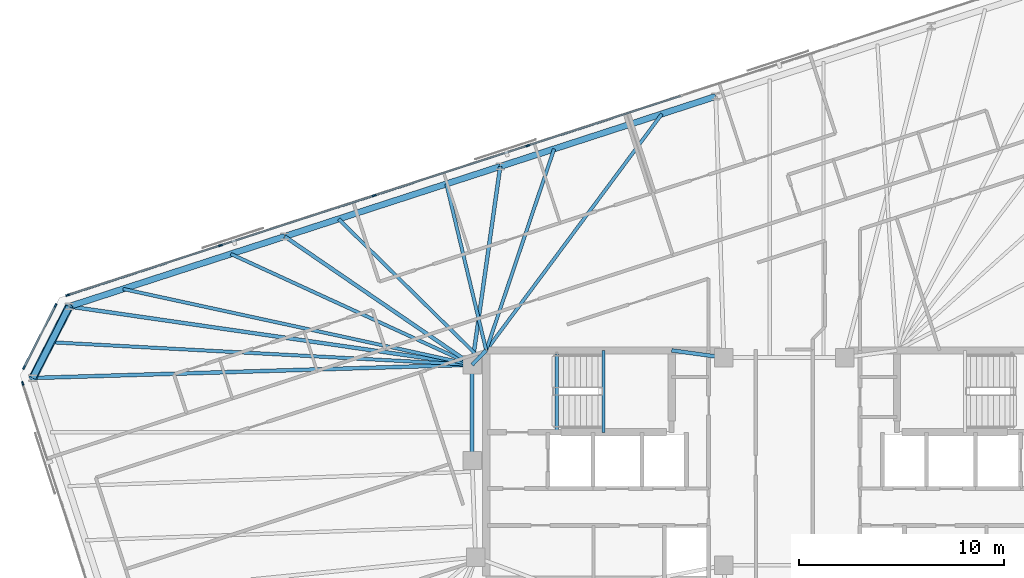
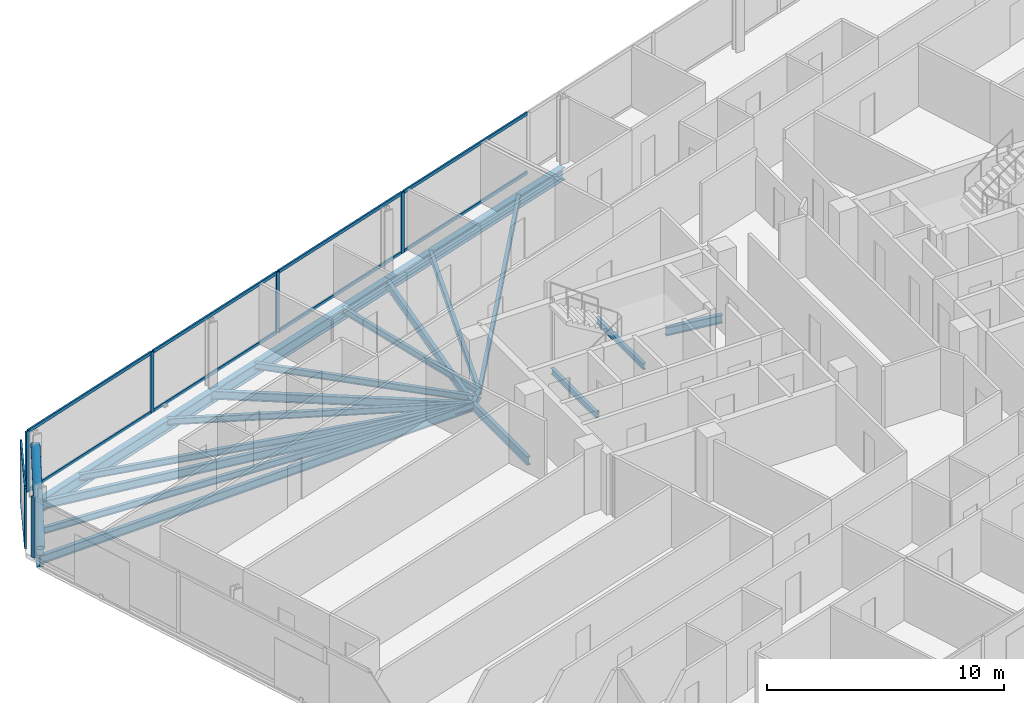
# One storey, part 9 of 20: 20 beams, 18 members, 3 elements without a shape of their own.
"""IFC4 building model written with IfcOpenShell, lengths in metres."""

from ifc_helpers import new_model, si_unit, direction, frame, origin, origin_2d, place, context, subcontext, project, spatial, rectangle, hollow_circle, i_section, extrude, material, material_profile, profile_set, type_object, element, aggregate, save


model = new_model("IFC4")

# Units and contexts
model_context = context("Model", 3, precision=1e-05, world=origin(), true_north=direction((0.0, 1.0)))
body_context = subcontext(model_context, "Body", "Model", "MODEL_VIEW")
ifc_project = project(units=[si_unit("LENGTHUNIT", "METRE"), si_unit("AREAUNIT", "SQUARE_METRE"), si_unit("VOLUMEUNIT", "CUBIC_METRE"), si_unit("PLANEANGLEUNIT", "RADIAN"), si_unit("MASSUNIT", "GRAM", prefix="KILO")], contexts=[model_context])

# Site, building, storey
site_placement = place(None, origin())
site = spatial("IfcSite", under=ifc_project, at=site_placement, CompositionType="ELEMENT")
building_placement = place(site_placement, origin())
building = spatial("IfcBuilding", under=site, at=building_placement, Name="Menara Jurai Vektor", CompositionType="ELEMENT")
storey_placement = place(building_placement, frame((0.0, 0.0, 227.64990234375)))
storey = spatial("IfcBuildingStorey", under=building, at=storey_placement, Name="L60", CompositionType="ELEMENT", Elevation=227.64990234375)

# Curtain wall, members
ifc_material_1 = material(Name="Anodised Pale Aluminium & Low-E Double Glazing", Category="aluminium")
curtain_wall_type = type_object("IfcCurtainWallType", Name="CW-BLK4", PredefinedType="NOTDEFINED", material=ifc_material_1)
curtain_wall_1_placement = place(storey_placement, origin())
curtain_wall_1 = element("IfcCurtainWall", 1, at=curtain_wall_1_placement, inside=storey, type_object=curtain_wall_type, Name="Unitised Curtain Wall L60 F05", PredefinedType="NOTDEFINED")
ifc_material_2 = material(Name="Anodised Pale Aluminium Mullion", Category="aluminium")
ifc_material_profile_1 = material_profile(ifc_material_2, rectangle(XDim=0.080078125, YDim=0.18994140625, at=origin_2d()), Name="ALU MUL 80x190")
ifc_profile_set_1 = profile_set([ifc_material_profile_1], Name="Anodised Pale Aluminium Mullion")
member_type_1 = type_object("IfcMemberType", Name="CW-BLK4-MUL", PredefinedType="MULLION", material=ifc_profile_set_1)
member_1_placement = place(storey_placement, frame((-12.532958984375, 15.601806640625, 0.0), z_axis=(0.0, 0.0, 1.0), x_axis=(0.309017344167, -0.951056402641, 0.0)))
member_1 = element("IfcMember", 2, at=member_1_placement, type_object=member_type_1, Name="CW-04 mullion 5", PredefinedType="MULLION", context=body_context, shape_type="SweptSolid", body=[
    extrude(rectangle(XDim=0.080078125, YDim=0.18994140625, at=origin_2d()), origin(), (0.0, 0.0, 1.0), 3.125),
])
member_2_placement = place(storey_placement, frame((-20.0380859375, 13.163330078125, 0.0), z_axis=(0.0, 0.0, 1.0), x_axis=(0.309017344167, -0.951056402641, 0.0)))
member_2 = element("IfcMember", 3, at=member_2_placement, type_object=member_type_1, Name="CW-04 mullion 6", PredefinedType="MULLION", context=body_context, shape_type="SweptSolid", body=[
    extrude(rectangle(XDim=0.080078125, YDim=0.18994140625, at=origin_2d()), origin(), (0.0, 0.0, 1.0), 3.125),
])
member_3_placement = place(storey_placement, frame((-27.543212890625, 10.724609375, 0.0), z_axis=(0.0, 0.0, 1.0), x_axis=(0.309017344167, -0.951056402641, 0.0)))
member_3 = element("IfcMember", 4, at=member_3_placement, type_object=member_type_1, Name="CW-04 mullion 7", PredefinedType="MULLION", context=body_context, shape_type="SweptSolid", body=[
    extrude(rectangle(XDim=0.080078125, YDim=0.18994140625, at=origin_2d()), origin(), (0.0, 0.0, 1.0), 3.125),
])
member_4_placement = place(storey_placement, frame((-35.010498046875, 8.29833984375, 0.0), z_axis=(0.0, 0.0, 1.0), x_axis=(0.309017344167, -0.951056402641, 0.0)))
member_4 = element("IfcMember", 5, at=member_4_placement, type_object=member_type_1, Name="CW-04 mullion 8", PredefinedType="MULLION", context=body_context, shape_type="SweptSolid", body=[
    extrude(rectangle(XDim=0.080078125, YDim=0.18994140625, at=origin_2d()), origin(), (0.0, 0.0, 1.0), 3.125),
])

curtain_wall_2_placement = place(storey_placement, origin())
curtain_wall_2 = element("IfcCurtainWall", 6, at=curtain_wall_2_placement, inside=storey, type_object=curtain_wall_type, Name="Unitised Curtain Wall L60 F06", PredefinedType="NOTDEFINED")
member_5_placement = place(storey_placement, frame((-35.6005859375, 7.79443359375, 0.0), z_axis=(0.0, 0.0, 1.0), x_axis=(0.89100750243, -0.453988579828, 0.0)))
member_5 = element("IfcMember", 7, at=member_5_placement, type_object=member_type_1, Name="CW-04 mullion 1", PredefinedType="MULLION", context=body_context, shape_type="SweptSolid", body=[
    extrude(rectangle(XDim=0.080078125, YDim=0.18994140625, at=origin_2d()), origin(), (0.0, 0.0, 1.0), 3.125),
])
member_6_placement = place(storey_placement, frame((-37.145263671875, 4.7626953125, 0.0), z_axis=(0.0, 0.0, 1.0), x_axis=(0.89100750243, -0.453988579828, 0.0)))
member_6 = element("IfcMember", 8, at=member_6_placement, type_object=member_type_1, Name="CW-04 mullion 2", PredefinedType="MULLION", context=body_context, shape_type="SweptSolid", body=[
    extrude(rectangle(XDim=0.080078125, YDim=0.18994140625, at=origin_2d()), origin(), (0.0, 0.0, 1.0), 3.125),
])

# Curtain wall, member
curtain_wall_3_placement = place(storey_placement, origin())
curtain_wall_3 = element("IfcCurtainWall", 9, at=curtain_wall_3_placement, inside=storey, type_object=curtain_wall_type, Name="Unitised Curtain Wall L60 F07", PredefinedType="NOTDEFINED")
member_7_placement = place(storey_placement, frame((-37.206298828125, 3.989013671875, 0.0), z_axis=(0.0, 0.0, 1.0), x_axis=(0.95105668295, 0.309016481464, 0.0)))
member_7 = element("IfcMember", 10, at=member_7_placement, type_object=member_type_1, Name="CW-04 mullion 1", PredefinedType="MULLION", context=body_context, shape_type="SweptSolid", body=[
    extrude(rectangle(XDim=0.080078125, YDim=0.18994140625, at=origin_2d()), origin(), (0.0, 0.0, 1.0), 3.125),
])
aggregate(curtain_wall_3, [member_7])

# Member
ifc_material_3 = material(Name="Anodised Pale Aluminium Transom", Category="aluminium")
ifc_material_profile_2 = material_profile(ifc_material_3, rectangle(XDim=0.080078125, YDim=0.1650390625, at=origin_2d()), Name="ALU TRN 80x165")
ifc_profile_set_2 = profile_set([ifc_material_profile_2], Name="Anodised Pale Aluminium Transom")
member_type_2 = type_object("IfcMemberType", Name="CW-BLK4-TRN", PredefinedType="USERDEFINED", material=ifc_profile_set_2)
member_8_placement = place(storey_placement, frame((-5.06591796875, 18.028076171875, 0.0400390625), z_axis=(-0.95105634578, -0.309017519167, 0.0), x_axis=(0.309017519167, -0.95105634578, 0.0)))
member_8 = element("IfcMember", 11, at=member_8_placement, type_object=member_type_2, Name="CW-04 transom 4.1", ObjectType="TRANSOM", PredefinedType="USERDEFINED", context=body_context, shape_type="SweptSolid", body=[
    extrude(rectangle(XDim=0.080078125, YDim=0.1650390625, at=origin_2d()), origin(), (0.0, 0.0, 1.0), 7.811279296875),
])

member_9_placement = place(storey_placement, frame((-5.06591796875, 18.028076171875, 3.085205078125), z_axis=(-0.95105634578, -0.309017519167, 0.0), x_axis=(0.309017519167, -0.95105634578, 0.0)))
member_9 = element("IfcMember", 12, at=member_9_placement, type_object=member_type_2, Name="CW-04 transom 4.2", ObjectType="TRANSOM", PredefinedType="USERDEFINED", context=body_context, shape_type="SweptSolid", body=[
    extrude(rectangle(XDim=0.080078125, YDim=0.1650390625, at=origin_2d()), origin(), (0.0, 0.0, 1.0), 7.811279296875),
])

member_10_placement = place(storey_placement, frame((-12.571044921875, 15.589599609375, 0.0400390625), z_axis=(-0.95104715984, -0.309045789099, 0.0), x_axis=(0.309045789099, -0.95104715984, 0.0)))
member_10 = element("IfcMember", 13, at=member_10_placement, type_object=member_type_2, Name="CW-04 transom 5.1", ObjectType="TRANSOM", PredefinedType="USERDEFINED", context=body_context, shape_type="SweptSolid", body=[
    extrude(rectangle(XDim=0.080078125, YDim=0.1650390625, at=origin_2d()), origin(), (0.0, 0.0, 1.0), 7.811279296875),
])

member_11_placement = place(storey_placement, frame((-12.571044921875, 15.589599609375, 3.085205078125), z_axis=(-0.95104715984, -0.309045789099, 0.0), x_axis=(0.309045789099, -0.95104715984, 0.0)))
member_11 = element("IfcMember", 14, at=member_11_placement, type_object=member_type_2, Name="CW-04 transom 5.2", ObjectType="TRANSOM", PredefinedType="USERDEFINED", context=body_context, shape_type="SweptSolid", body=[
    extrude(rectangle(XDim=0.080078125, YDim=0.1650390625, at=origin_2d()), origin(), (0.0, 0.0, 1.0), 7.811279296875),
])

member_12_placement = place(storey_placement, frame((-20.076171875, 13.15087890625, 0.0400390625), z_axis=(-0.951059330237, -0.309008333817, 0.0), x_axis=(0.309008333817, -0.951059330237, 0.0)))
member_12 = element("IfcMember", 15, at=member_12_placement, type_object=member_type_2, Name="CW-04 transom 6.1", ObjectType="TRANSOM", PredefinedType="USERDEFINED", context=body_context, shape_type="SweptSolid", body=[
    extrude(rectangle(XDim=0.080078125, YDim=0.1650390625, at=origin_2d()), origin(), (0.0, 0.0, 1.0), 7.8115234375),
])

member_13_placement = place(storey_placement, frame((-20.076171875, 13.15087890625, 3.085205078125), z_axis=(-0.951059330237, -0.309008333817, 0.0), x_axis=(0.309008333817, -0.951059330237, 0.0)))
member_13 = element("IfcMember", 16, at=member_13_placement, type_object=member_type_2, Name="CW-04 transom 6.2", ObjectType="TRANSOM", PredefinedType="USERDEFINED", context=body_context, shape_type="SweptSolid", body=[
    extrude(rectangle(XDim=0.080078125, YDim=0.1650390625, at=origin_2d()), origin(), (0.0, 0.0, 1.0), 7.8115234375),
])

member_14_placement = place(storey_placement, frame((-27.581298828125, 10.71240234375, 0.0400390625), z_axis=(-0.951052997543, -0.309027823771, 0.0), x_axis=(0.309027823771, -0.951052997543, 0.0)))
member_14 = element("IfcMember", 17, at=member_14_placement, type_object=member_type_2, Name="CW-04 transom 7.1", ObjectType="TRANSOM", PredefinedType="USERDEFINED", context=body_context, shape_type="SweptSolid", body=[
    extrude(rectangle(XDim=0.080078125, YDim=0.1650390625, at=origin_2d()), origin(), (0.0, 0.0, 1.0), 7.771484375),
])

member_15_placement = place(storey_placement, frame((-27.581298828125, 10.71240234375, 3.085205078125), z_axis=(-0.951052997543, -0.309027823771, 0.0), x_axis=(0.309027823771, -0.951052997543, 0.0)))
member_15 = element("IfcMember", 18, at=member_15_placement, type_object=member_type_2, Name="CW-04 transom 7.2", ObjectType="TRANSOM", PredefinedType="USERDEFINED", context=body_context, shape_type="SweptSolid", body=[
    extrude(rectangle(XDim=0.080078125, YDim=0.1650390625, at=origin_2d()), origin(), (0.0, 0.0, 1.0), 7.771484375),
])

aggregate(curtain_wall_1, [member_1, member_2, member_3, member_4, member_8, member_9, member_10, member_11, member_12, member_13, member_14, member_15])

member_16_placement = place(storey_placement, frame((-35.61865234375, 7.7587890625, 0.0400390625), z_axis=(-0.454019339544, -0.890991828986, 0.0), x_axis=(0.890991828986, -0.454019339544, 0.0)))
member_16 = element("IfcMember", 19, at=member_16_placement, type_object=member_type_2, Name="CW-04 transom 1.1", ObjectType="TRANSOM", PredefinedType="USERDEFINED", context=body_context, shape_type="SweptSolid", body=[
    extrude(rectangle(XDim=0.080078125, YDim=0.1650390625, at=origin_2d()), origin(), (0.0, 0.0, 1.0), 3.32275390625),
])

member_17_placement = place(storey_placement, frame((-35.61865234375, 7.7587890625, 3.085205078125), z_axis=(-0.454019339544, -0.890991828986, 0.0), x_axis=(0.890991828986, -0.454019339544, 0.0)))
member_17 = element("IfcMember", 20, at=member_17_placement, type_object=member_type_2, Name="CW-04 transom 1.2", ObjectType="TRANSOM", PredefinedType="USERDEFINED", context=body_context, shape_type="SweptSolid", body=[
    extrude(rectangle(XDim=0.080078125, YDim=0.1650390625, at=origin_2d()), origin(), (0.0, 0.0, 1.0), 3.32275390625),
])

aggregate(curtain_wall_2, [member_5, member_6, member_16, member_17])

# Beams
ifc_material_4 = material(Name="Steel S355", Category="steel")
ifc_material_profile_3 = material_profile(ifc_material_4, i_section(OverallWidth=0.18505859375, OverallDepth=0.429931640625, WebThickness=0.010986328125, FlangeThickness=0.01806640625, at=origin_2d()), Name="PG 430x185x76")
ifc_profile_set_3 = profile_set([ifc_material_profile_3], Name="Steel S355")
beam_type_1 = type_object("IfcBeamType", Name="STR-BM-430", PredefinedType="BEAM", material=ifc_profile_set_3)
beam_1_placement = place(storey_placement, frame((-15.25, 4.89990234375, -0.43994140625), z_axis=(0.701871936926, 0.712303154672, 0.0), x_axis=(-0.712303154672, 0.701871936926, 0.0)))
element("IfcBeam", 21, at=beam_1_placement, inside=storey, type_object=beam_type_1, Name="Core Ring Header Girder L60-CHW-N1", PredefinedType="BEAM", context=body_context, shape_type="SweptSolid", body=[
    extrude(i_section(OverallWidth=0.18505859375, OverallDepth=0.429931640625, WebThickness=0.010986328125, FlangeThickness=0.01806640625, at=origin_2d()), origin(), (0.0, 0.0, 1.0), 0.98291015625),
])
beam_2_placement = place(storey_placement, frame((-5.5, 5.60009765625, -0.43994140625), z_axis=(0.990706818608, -0.136014703483, 0.0), x_axis=(0.136014703483, 0.990706818608, 0.0)))
element("IfcBeam", 22, at=beam_2_placement, inside=storey, type_object=beam_type_1, Name="Core Ring Header Girder L60-CHW-N2", PredefinedType="BEAM", context=body_context, shape_type="SweptSolid", body=[
    extrude(i_section(OverallWidth=0.18505859375, OverallDepth=0.429931640625, WebThickness=0.010986328125, FlangeThickness=0.01806640625, at=origin_2d()), origin(), (0.0, 0.0, 1.0), 2.573974609375),
])
beam_3_placement = place(storey_placement, frame((-15.25, 0.219970703125, -0.43994140625), z_axis=(0.0, 1.0, 0.0), x_axis=(-1.0, 0.0, 0.0)))
element("IfcBeam", 23, at=beam_3_placement, inside=storey, type_object=beam_type_1, Name="Core Ring Header Girder L60-CHW-W1", PredefinedType="BEAM", context=body_context, shape_type="SweptSolid", body=[
    extrude(i_section(OverallWidth=0.18505859375, OverallDepth=0.429931640625, WebThickness=0.010986328125, FlangeThickness=0.01806640625, at=origin_2d()), origin(), (0.0, 0.0, 1.0), 4.679931640625),
])
beam_4_placement = place(storey_placement, frame((-13.875, 14.58740234375, -0.43994140625), z_axis=(-0.140527035582, -0.990076841599, 0.0), x_axis=(0.990076841599, -0.140527035582, 0.0)))
element("IfcBeam", 24, at=beam_4_placement, inside=storey, type_object=beam_type_1, Name="Radial Floor Girder L60-N4", PredefinedType="BEAM", context=body_context, shape_type="SweptSolid", body=[
    extrude(i_section(OverallWidth=0.18505859375, OverallDepth=0.429931640625, WebThickness=0.010986328125, FlangeThickness=0.01806640625, at=origin_2d()), origin(), (0.0, 0.0, 1.0), 9.78466796875),
])
beam_5_placement = place(storey_placement, frame((-24.404296875, 11.166259765625, -0.43994140625), z_axis=(0.825185786768, -0.564861414257, 0.0), x_axis=(0.564861414257, 0.825185786768, 0.0)))
element("IfcBeam", 25, at=beam_5_placement, inside=storey, type_object=beam_type_1, Name="Radial Floor Girder L60-N5", PredefinedType="BEAM", context=body_context, shape_type="SweptSolid", body=[
    extrude(i_section(OverallWidth=0.18505859375, OverallDepth=0.429931640625, WebThickness=0.010986328125, FlangeThickness=0.01806640625, at=origin_2d()), origin(), (0.0, 0.0, 1.0), 11.093505859375),
])
beam_6_placement = place(storey_placement, frame((-34.93359375, 7.7451171875, -0.43994140625), z_axis=(0.989713916117, -0.14306070126, 0.0), x_axis=(0.14306070126, 0.989713916117, 0.0)))
element("IfcBeam", 26, at=beam_6_placement, inside=storey, type_object=beam_type_1, Name="Radial Floor Girder L60-N6", PredefinedType="BEAM", context=body_context, shape_type="SweptSolid", body=[
    extrude(i_section(OverallWidth=0.18505859375, OverallDepth=0.429931640625, WebThickness=0.010986328125, FlangeThickness=0.01806640625, at=origin_2d()), origin(), (0.0, 0.0, 1.0), 19.88818359375),
])
beam_7_placement = place(storey_placement, frame((-36.71337890625, 4.251953125, -0.43994140625), z_axis=(0.999544635638, 0.030174846589, 0.0), x_axis=(-0.030174846589, 0.999544635638, 0.0)))
element("IfcBeam", 27, at=beam_7_placement, inside=storey, type_object=beam_type_1, Name="Radial Floor Girder L60-W1", PredefinedType="BEAM", context=body_context, shape_type="SweptSolid", body=[
    extrude(i_section(OverallWidth=0.18505859375, OverallDepth=0.429931640625, WebThickness=0.010986328125, FlangeThickness=0.01806640625, at=origin_2d()), origin(), (0.0, 0.0, 1.0), 21.47314453125),
])

# Member
ifc_material_5 = material(Name="Steel S460", Category="steel")
ifc_material_profile_4 = material_profile(ifc_material_5, hollow_circle(Radius=0.203125, WallThickness=0.01611328125, at=origin_2d()), Name="CHS 406.4x16")
ifc_profile_set_4 = profile_set([ifc_material_profile_4], Name="Steel S460")
member_type_3 = type_object("IfcMemberType", Name="STR-BR-406", PredefinedType="BRACE", material=ifc_profile_set_4)
member_18_placement = place(storey_placement, frame((-36.71337890625, 4.251953125, 0.150146484375), z_axis=(0.377225079071, 0.740375367811, 0.556368182465), x_axis=(-0.891013832566, 0.453976155955, 0.0)))
element("IfcMember", 28, at=member_18_placement, inside=storey, type_object=member_type_3, Name="Exoskeleton Corner Brace L60-3", PredefinedType="BRACE", context=body_context, shape_type="SweptSolid", body=[
    extrude(hollow_circle(Radius=0.203125, WallThickness=0.01611328125, at=origin_2d()), origin(), (0.0, 0.0, 1.0), 4.718017578125),
])

# Beams
ifc_material_profile_5 = material_profile(ifc_material_4, i_section(OverallWidth=0.1650390625, OverallDepth=0.330078125, WebThickness=0.009033203125, FlangeThickness=0.013916015625, at=origin_2d()), Name="PG 330x165x46")
ifc_profile_set_5 = profile_set([ifc_material_profile_5], Name="Steel S355")
beam_type_2 = type_object("IfcBeamType", Name="STR-JS-330", PredefinedType="JOIST", material=ifc_profile_set_5)
beam_8_placement = place(storey_placement, frame((-5.97802734375, 17.1533203125, -0.389892578125), z_axis=(-0.59630776033, -0.802755912448, 0.0), x_axis=(0.802755912448, -0.59630776033, 0.0)))
element("IfcBeam", 29, at=beam_8_placement, inside=storey, type_object=beam_type_2, Name="Radial Secondary Floor Joist L60-JS21", PredefinedType="JOIST", context=body_context, shape_type="SweptSolid", body=[
    extrude(i_section(OverallWidth=0.1650390625, OverallDepth=0.330078125, WebThickness=0.009033203125, FlangeThickness=0.013916015625, at=origin_2d()), origin(), (0.0, 0.0, 1.0), 14.391845703125),
])
beam_9_placement = place(storey_placement, frame((-11.24267578125, 15.44287109375, -0.389892578125), z_axis=(-0.319385076217, -0.94762501713, 0.0), x_axis=(0.94762501713, -0.319385076217, 0.0)))
element("IfcBeam", 30, at=beam_9_placement, inside=storey, type_object=beam_type_2, Name="Radial Secondary Floor Joist L60-JS22", PredefinedType="JOIST", context=body_context, shape_type="SweptSolid", body=[
    extrude(i_section(OverallWidth=0.1650390625, OverallDepth=0.330078125, WebThickness=0.009033203125, FlangeThickness=0.013916015625, at=origin_2d()), origin(), (0.0, 0.0, 1.0), 10.38671875),
])
beam_10_placement = place(storey_placement, frame((-16.50732421875, 13.732177734375, -0.389892578125), z_axis=(0.23287158907, -0.972507492518, 0.0), x_axis=(0.972507492518, 0.23287158907, 0.0)))
element("IfcBeam", 31, at=beam_10_placement, inside=storey, type_object=beam_type_2, Name="Radial Secondary Floor Joist L60-JS23", PredefinedType="JOIST", context=body_context, shape_type="SweptSolid", body=[
    extrude(i_section(OverallWidth=0.1650390625, OverallDepth=0.330078125, WebThickness=0.009033203125, FlangeThickness=0.013916015625, at=origin_2d()), origin(), (0.0, 0.0, 1.0), 8.362060546875),
])
beam_11_placement = place(storey_placement, frame((-21.77197265625, 12.021484375, -0.389892578125), z_axis=(0.7121893722, -0.701987391714, 0.0), x_axis=(0.701987391714, 0.7121893722, 0.0)))
element("IfcBeam", 32, at=beam_11_placement, inside=storey, type_object=beam_type_2, Name="Radial Secondary Floor Joist L60-JS24", PredefinedType="JOIST", context=body_context, shape_type="SweptSolid", body=[
    extrude(i_section(OverallWidth=0.1650390625, OverallDepth=0.330078125, WebThickness=0.009033203125, FlangeThickness=0.013916015625, at=origin_2d()), origin(), (0.0, 0.0, 1.0), 9.64404296875),
])
beam_12_placement = place(storey_placement, frame((-27.03662109375, 10.31103515625, -0.389892578125), z_axis=(0.908803804095, -0.417223735738, 0.0), x_axis=(0.417223735738, 0.908803804095, 0.0)))
element("IfcBeam", 33, at=beam_12_placement, inside=storey, type_object=beam_type_2, Name="Radial Secondary Floor Joist L60-JS25", PredefinedType="JOIST", context=body_context, shape_type="SweptSolid", body=[
    extrude(i_section(OverallWidth=0.1650390625, OverallDepth=0.330078125, WebThickness=0.009033203125, FlangeThickness=0.013916015625, at=origin_2d()), origin(), (0.0, 0.0, 1.0), 12.969482421875),
])
beam_13_placement = place(storey_placement, frame((-32.30126953125, 8.600341796875, -0.389892578125), z_axis=(0.977251946396, -0.212081666498, 0.0), x_axis=(0.212081666498, 0.977251946396, 0.0)))
element("IfcBeam", 34, at=beam_13_placement, inside=storey, type_object=beam_type_2, Name="Radial Secondary Floor Joist L60-JS26", PredefinedType="JOIST", context=body_context, shape_type="SweptSolid", body=[
    extrude(i_section(OverallWidth=0.1650390625, OverallDepth=0.330078125, WebThickness=0.009033203125, FlangeThickness=0.013916015625, at=origin_2d()), origin(), (0.0, 0.0, 1.0), 17.4482421875),
])
beam_14_placement = place(storey_placement, frame((-35.823486328125, 5.99853515625, -0.389892578125), z_axis=(0.998577239708, -0.053324444086, 0.0), x_axis=(0.053324444086, 0.998577239708, 0.0)))
element("IfcBeam", 35, at=beam_14_placement, inside=storey, type_object=beam_type_2, Name="Radial Secondary Floor Joist L60-JS27", PredefinedType="JOIST", context=body_context, shape_type="SweptSolid", body=[
    extrude(i_section(OverallWidth=0.1650390625, OverallDepth=0.330078125, WebThickness=0.009033203125, FlangeThickness=0.013916015625, at=origin_2d()), origin(), (0.0, 0.0, 1.0), 20.602783203125),
])
ifc_material_profile_6 = material_profile(ifc_material_4, i_section(OverallWidth=0.1650390625, OverallDepth=0.302978515625, WebThickness=0.006103515625, FlangeThickness=0.010009765625, FilletRadius=0.009033203125, at=origin_2d()), Name="UKB 305x165x40")
ifc_profile_set_6 = profile_set([ifc_material_profile_6], Name="Steel S355")
beam_type_3 = type_object("IfcBeamType", Name="STR-LN-305", PredefinedType="LINTEL", material=ifc_profile_set_6)
beam_15_placement = place(storey_placement, frame((-11.1201171875, 1.60009765625, -0.37646484375), z_axis=(0.0, 1.0, 0.0), x_axis=(-1.0, 0.0, 0.0)))
element("IfcBeam", 36, at=beam_15_placement, inside=storey, type_object=beam_type_3, Name="Stair Well Floor Trimmer ST1 L60", PredefinedType="LINTEL", context=body_context, shape_type="SweptSolid", body=[
    extrude(i_section(OverallWidth=0.1650390625, OverallDepth=0.302978515625, WebThickness=0.006103515625, FlangeThickness=0.010009765625, FilletRadius=0.009033203125, at=origin_2d()), origin(), (0.0, 0.0, 1.0), 3.81982421875),
])
beam_16_placement = place(storey_placement, frame((-8.830078125, 1.60009765625, 1.323486328125), z_axis=(0.0, 1.0, 0.0), x_axis=(-1.0, 0.0, 0.0)))
element("IfcBeam", 37, at=beam_16_placement, inside=storey, type_object=beam_type_3, Name="Stair Half-Landing Nosing Trimmer ST1-1 L60", PredefinedType="LINTEL", context=body_context, shape_type="SweptSolid", body=[
    extrude(i_section(OverallWidth=0.1650390625, OverallDepth=0.302978515625, WebThickness=0.006103515625, FlangeThickness=0.010009765625, FilletRadius=0.009033203125, at=origin_2d()), origin(), (0.0, 0.0, 1.0), 4.0),
])
ifc_material_profile_7 = material_profile(ifc_material_4, i_section(OverallWidth=0.306884765625, OverallDepth=0.6201171875, WebThickness=0.013916015625, FlangeThickness=0.02392578125, FilletRadius=0.01708984375, at=origin_2d()), Name="UKB 610x305x179")
ifc_profile_set_7 = profile_set([ifc_material_profile_7], Name="Steel S355")
beam_type_4 = type_object("IfcBeamType", Name="STR-SP-610", PredefinedType="SPANDREL", material=ifc_profile_set_7)
for number, where, z_axis, x_axis, name in (
    (38, (-3.345703125, 18.008544921875, -0.534912109375), (-0.951057401967, -0.309014268544, 0.0), (0.309014268544, -0.951057401967, 0.0), "Exoskeleton Spandrel Beam L60-13"),
    (39, (-13.875, 14.58740234375, -0.534912109375), (-0.951057401967, -0.309014268544, 0.0), (0.309014268544, -0.951057401967, 0.0), "Exoskeleton Spandrel Beam L60-14"),
    (40, (-24.404296875, 11.166259765625, -0.534912109375), (-0.951057401967, -0.309014268544, 0.0), (0.309014268544, -0.951057401967, 0.0), "Exoskeleton Spandrel Beam L60-15"),
):
    element("IfcBeam", number, at=place(storey_placement, frame(where, z_axis=z_axis, x_axis=x_axis)), inside=storey, type_object=beam_type_4, Name=name, PredefinedType="SPANDREL", context=body_context, shape_type="SweptSolid", body=[
        extrude(i_section(OverallWidth=0.306884765625, OverallDepth=0.6201171875, WebThickness=0.013916015625, FlangeThickness=0.02392578125, FilletRadius=0.01708984375, at=origin_2d()), origin(), (0.0, 0.0, 1.0), 11.071044921875),
    ])
beam_17_placement = place(storey_placement, frame((-34.93359375, 7.7451171875, -0.534912109375), z_axis=(-0.453976155955, -0.891013832566, 0.0), x_axis=(0.891013832566, -0.453976155955, 0.0)))
element("IfcBeam", 41, at=beam_17_placement, inside=storey, type_object=beam_type_4, Name="Exoskeleton Spandrel Beam L60-16", PredefinedType="SPANDREL", context=body_context, shape_type="SweptSolid", body=[
    extrude(i_section(OverallWidth=0.306884765625, OverallDepth=0.6201171875, WebThickness=0.013916015625, FlangeThickness=0.02392578125, FilletRadius=0.01708984375, at=origin_2d()), origin(), (0.0, 0.0, 1.0), 3.92041015625),
])

save(model, "model.ifc")
